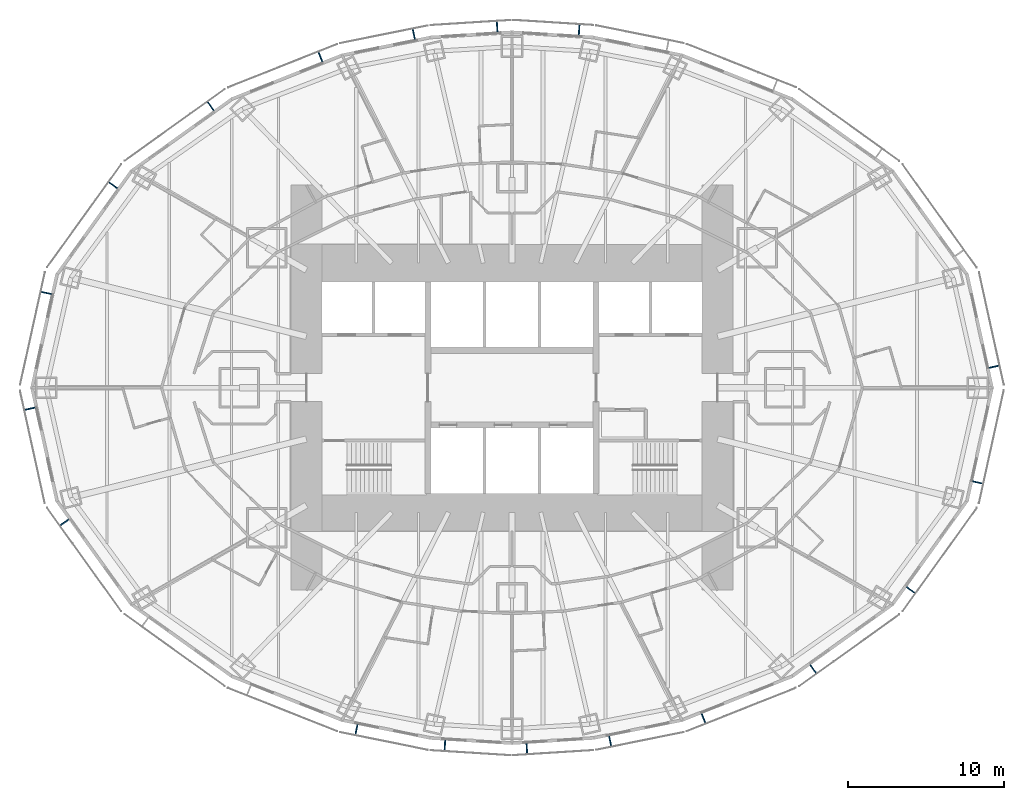
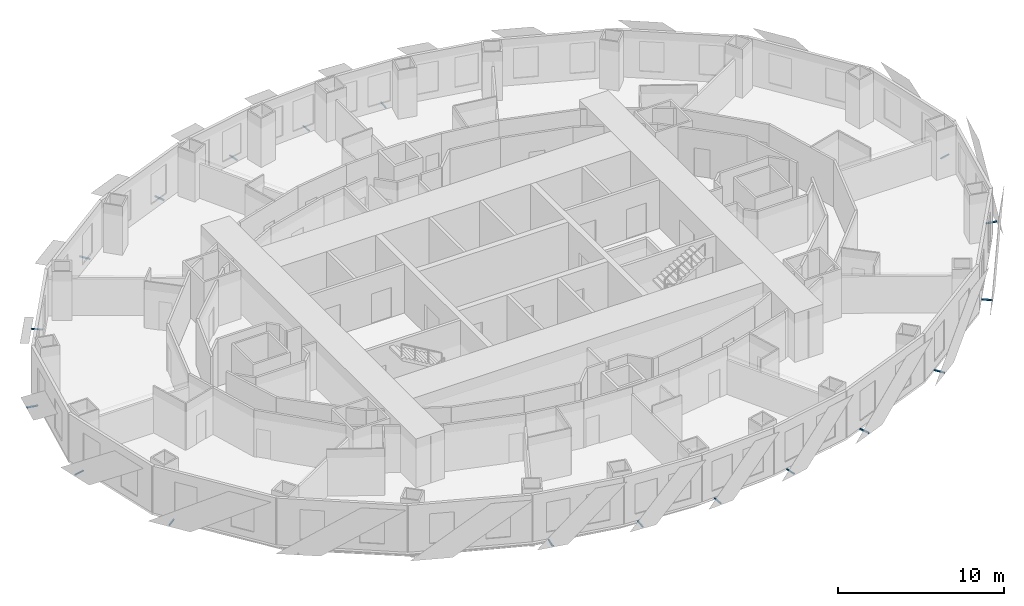
# One storey, part 11 of 15: 18 discrete accessories.
"""IFC4 building model written with IfcOpenShell, lengths in metres."""

from ifc_helpers import new_model, si_unit, direction, frame, origin, origin_2d, place, context, subcontext, project, spatial, rectangle, extrude, element, save


model = new_model("IFC4")

# Units and contexts
model_context = context("Model", 3, precision=1e-05, world=origin(), true_north=direction((0.0, 1.0)))
body_context = subcontext(model_context, "Body", "Model", "MODEL_VIEW")
ifc_project = project(units=[si_unit("LENGTHUNIT", "METRE"), si_unit("AREAUNIT", "SQUARE_METRE"), si_unit("VOLUMEUNIT", "CUBIC_METRE"), si_unit("PLANEANGLEUNIT", "RADIAN"), si_unit("MASSUNIT", "GRAM", prefix="KILO")], contexts=[model_context])

# Site, building, storey
site_placement = place(None, origin())
site = spatial("IfcSite", under=ifc_project, at=site_placement, CompositionType="ELEMENT")
building_placement = place(site_placement, origin())
building = spatial("IfcBuilding", under=site, at=building_placement, Name="Lantaw Convention Tower", CompositionType="ELEMENT")
storey_placement = place(building_placement, frame((0.0, 0.0, 91.0)))
storey = spatial("IfcBuildingStorey", under=building, at=storey_placement, Name="L21", CompositionType="ELEMENT", Elevation=91.0)

# Discrete accessories
for number, where, z_axis, x_axis, name in (
    (1, (30.967529296875, 1.35009765625, -0.114990234375), (0.0, 0.0, 1.0), (-0.215246056391, 0.976559847223, 0.0), "Screen bracket"),
    (2, (4.310302734375, 22.987548828125, -0.114990234375), (0.0, 0.0, 1.0), (-0.998016153807, 0.062958373078, 0.0), "Screen bracket"),
    (3, (-0.9560546875, 23.19921875, -0.114990234375), (0.0, 0.0, 1.0), (-0.998016153807, -0.062958373078, 0.0), "Screen bracket"),
    (4, (-6.307861328125, 22.71728515625, -0.114990234375), (0.0, 0.0, 1.0), (-0.980244604501, -0.197789067813, 0.0), "Screen bracket"),
    (5, (-12.309814453125, 21.25732421875, -0.114990234375), (0.0, 0.0, 1.0), (-0.929361152748, -0.369171840425, 0.0), "Screen bracket"),
    (6, (-19.352294921875, 18.085205078125, -0.114990234375), (0.0, 0.0, 1.0), (-0.812803733199, -0.5825376308, 0.0), "Screen bracket"),
    (7, (-25.61962890625, 13.004638671875, -0.114990234375), (0.0, 0.0, 1.0), (-0.583951250436, -0.811788726895, 0.0), "Screen bracket"),
    (8, (-29.92333984375, 6.087890625, -0.114990234375), (0.0, 0.0, 1.0), (-0.215246056391, -0.976559847223, 0.0), "Screen bracket"),
    (9, (-30.967529296875, -1.35009765625, -0.114990234375), (0.0, 0.0, 1.0), (0.215246056391, -0.976559847223, 0.0), "Screen bracket"),
    (10, (-28.745849609375, -8.65869140625, -0.114990234375), (0.0, 0.0, 1.0), (0.583951250436, -0.811788726895, 0.0), "Screen bracket"),
    (11, (-9.990478515625, -21.974365234375, -0.114990234375), (0.0, 0.0, 1.0), (0.980244604501, -0.197789067813, 0.0), "Screen bracket"),
    (12, (-4.310302734375, -22.987548828125, -0.114990234375), (0.0, 0.0, 1.0), (0.998016153807, -0.062958373078, 0.0), "Screen bracket"),
    (13, (0.9560546875, -23.19921875, -0.114990234375), (0.0, 0.0, 1.0), (0.998016153807, 0.062958373078, 0.0), "Screen bracket"),
    (14, (6.307861328125, -22.71728515625, -0.114990234375), (0.0, 0.0, 1.0), (0.980244604501, 0.197789067813, 0.0), "Screen bracket"),
    (15, (12.309814453125, -21.25732421875, -0.114990234375), (0.0, 0.0, 1.0), (0.929361152748, 0.369171840425, 0.0), "Screen bracket"),
    (16, (19.352294921875, -18.085205078125, -0.114990234375), (0.0, 0.0, 1.0), (0.812803733199, 0.5825376308, 0.0), "Screen bracket"),
    (17, (25.61962890625, -13.004638671875, -0.114990234375), (0.0, 0.0, 1.0), (0.583951250436, 0.811788726895, 0.0), "Screen bracket"),
    (18, (29.92333984375, -6.087890625, -0.114990234375), (0.0, 0.0, 1.0), (0.215246056391, 0.976559847223, 0.0), "Screen bracket"),
):
    element("IfcDiscreteAccessory", number, at=place(storey_placement, frame(where, z_axis=z_axis, x_axis=x_axis)), inside=storey, Name=name, PredefinedType="BRACKET", context=body_context, shape_type="SweptSolid", body=[
        extrude(rectangle(XDim=0.080078125, YDim=0.68798828125, at=origin_2d()), origin(), (0.0, 0.0, 1.0), 0.080078125),
    ])

save(model, "model.ifc")
